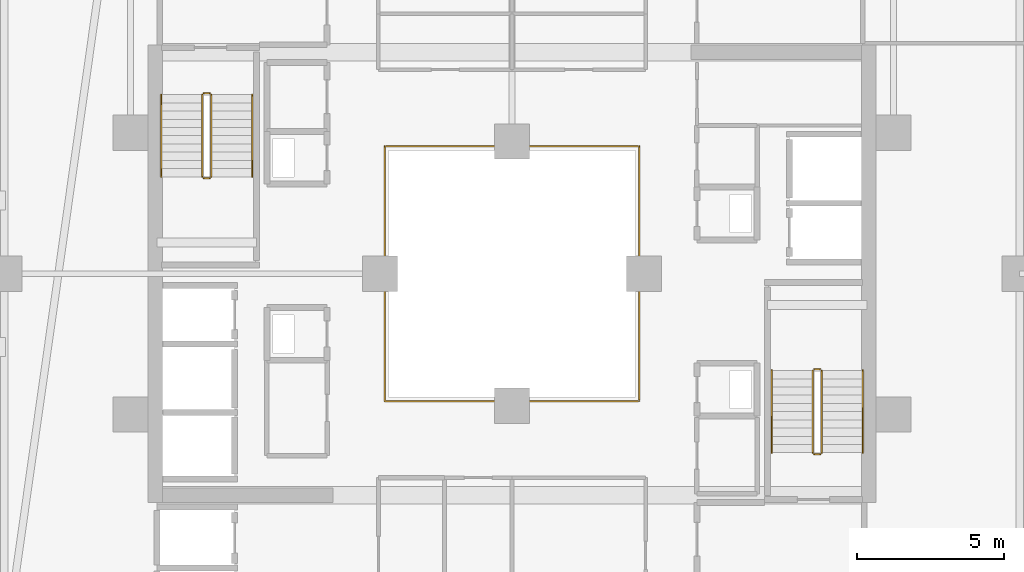
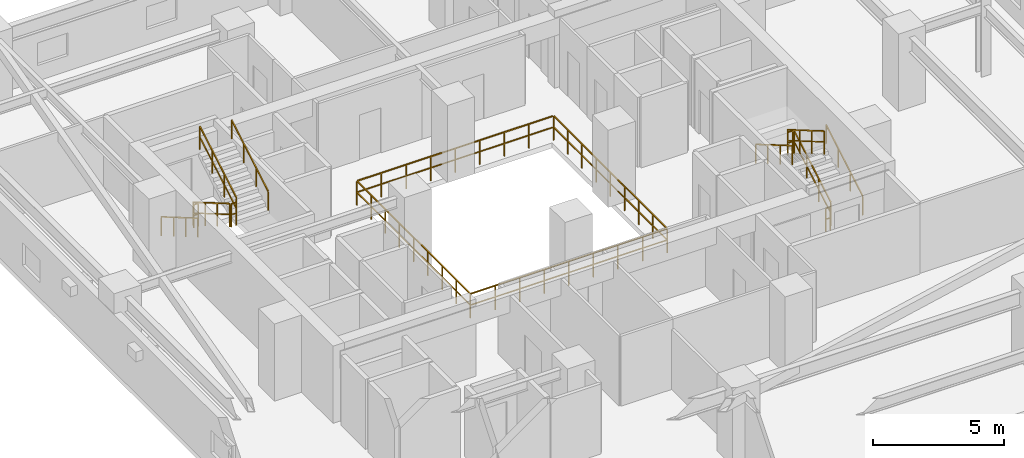
# One storey, part 33 of 34: 13 railings.
"""IFC4 building model written with IfcOpenShell, lengths in metres."""

from ifc_helpers import new_model, si_unit, direction, frame, origin, origin_2d, place, context, subcontext, project, spatial, rectangle, extrude, material, type_object, element, save


model = new_model("IFC4")

# Units and contexts
model_context = context("Model", 3, precision=1e-05, world=origin(), true_north=direction((0.0, 1.0)))
body_context = subcontext(model_context, "Body", "Model", "MODEL_VIEW")
ifc_project = project(units=[si_unit("LENGTHUNIT", "METRE"), si_unit("AREAUNIT", "SQUARE_METRE"), si_unit("VOLUMEUNIT", "CUBIC_METRE"), si_unit("PLANEANGLEUNIT", "RADIAN"), si_unit("MASSUNIT", "GRAM", prefix="KILO")], contexts=[model_context])

# Site, building, storey
site_placement = place(None, origin())
site = spatial("IfcSite", under=ifc_project, at=site_placement, CompositionType="ELEMENT")
building_placement = place(site_placement, origin())
building = spatial("IfcBuilding", under=site, at=building_placement, Name="Thornwick Lancets Civic Towers", CompositionType="ELEMENT")
storey_placement = place(building_placement, frame((0.0, 0.0, 137.699951171875)))
storey = spatial("IfcBuildingStorey", under=building, at=storey_placement, Name="L36", CompositionType="ELEMENT", Elevation=137.699951171875)

# Railings
ifc_material_1 = material(Name="Laminated glass and bronze steel S355", Category="steel")
railing_type_1 = type_object("IfcRailingType", Name="RAIL_ATRIUM_GUARD", PredefinedType="BALUSTRADE", material=ifc_material_1)
railing_1_placement = place(storey_placement, frame((84.159912109375, 22.659912109375, 0.0)))
element("IfcRailing", 1, at=railing_1_placement, inside=storey, type_object=railing_type_1, Name="L36 Tower B Central Atrium Guard Balustrade", PredefinedType="BALUSTRADE", context=body_context, shape_type="SweptSolid", body=[
    extrude(rectangle(XDim=0.048095703125, YDim=0.048095703125, at=origin_2d()), frame((0.0, 0.0, 1.1259765625), z_axis=(1.0, 0.0, 0.0), x_axis=(0.0, 1.0, 0.0)), (0.0, 0.0, 1.0), 8.64892578125),
    extrude(rectangle(XDim=0.0419921875, YDim=0.0419921875, at=origin_2d()), frame((0.03759765625, 0.0, 0.597900390625), z_axis=(1.0, 0.0, 0.0), x_axis=(0.0, 1.0, 0.0)), (0.0, 0.0, 1.0), 1.010009765625),
    extrude(rectangle(XDim=0.0419921875, YDim=0.0419921875, at=origin_2d()), frame((1.12255859375, 0.0, 0.597900390625), z_axis=(1.0, 0.0, 0.0), x_axis=(0.0, 1.0, 0.0)), (0.0, 0.0, 1.0), 1.010009765625),
    extrude(rectangle(XDim=0.0419921875, YDim=0.0419921875, at=origin_2d()), frame((2.20751953125, 0.0, 0.597900390625), z_axis=(1.0, 0.0, 0.0), x_axis=(0.0, 1.0, 0.0)), (0.0, 0.0, 1.0), 1.010009765625),
    extrude(rectangle(XDim=0.0419921875, YDim=0.0419921875, at=origin_2d()), frame((3.29248046875, 0.0, 0.597900390625), z_axis=(1.0, 0.0, 0.0), x_axis=(0.0, 1.0, 0.0)), (0.0, 0.0, 1.0), 1.010009765625),
    extrude(rectangle(XDim=0.0419921875, YDim=0.0419921875, at=origin_2d()), frame((4.377685546875, 0.0, 0.597900390625), z_axis=(1.0, 0.0, 0.0), x_axis=(0.0, 1.0, 0.0)), (0.0, 0.0, 1.0), 1.010009765625),
    extrude(rectangle(XDim=0.0419921875, YDim=0.0419921875, at=origin_2d()), frame((5.462646484375, 0.0, 0.597900390625), z_axis=(1.0, 0.0, 0.0), x_axis=(0.0, 1.0, 0.0)), (0.0, 0.0, 1.0), 1.010009765625),
    extrude(rectangle(XDim=0.0419921875, YDim=0.0419921875, at=origin_2d()), frame((6.547607421875, 0.0, 0.597900390625), z_axis=(1.0, 0.0, 0.0), x_axis=(0.0, 1.0, 0.0)), (0.0, 0.0, 1.0), 1.010009765625),
    extrude(rectangle(XDim=0.0419921875, YDim=0.0419921875, at=origin_2d()), frame((7.632568359375, 0.0, 0.597900390625), z_axis=(1.0, 0.0, 0.0), x_axis=(0.0, 1.0, 0.0)), (0.0, 0.0, 1.0), 1.010009765625),
    extrude(rectangle(XDim=0.048095703125, YDim=0.048095703125, at=origin_2d()), frame((8.68017578125, 0.03125, 1.1259765625), z_axis=(0.0, 1.0, 0.0), x_axis=(-1.0, 0.0, 0.0)), (0.0, 0.0, 1.0), 8.61767578125),
    extrude(rectangle(XDim=0.0419921875, YDim=0.0419921875, at=origin_2d()), frame((8.68017578125, 0.03759765625, 0.597900390625), z_axis=(0.0, 1.0, 0.0), x_axis=(-1.0, 0.0, 0.0)), (0.0, 0.0, 1.0), 1.010009765625),
    extrude(rectangle(XDim=0.0419921875, YDim=0.0419921875, at=origin_2d()), frame((8.68017578125, 1.12255859375, 0.597900390625), z_axis=(0.0, 1.0, 0.0), x_axis=(-1.0, 0.0, 0.0)), (0.0, 0.0, 1.0), 1.010009765625),
    extrude(rectangle(XDim=0.0419921875, YDim=0.0419921875, at=origin_2d()), frame((8.68017578125, 2.20751953125, 0.597900390625), z_axis=(0.0, 1.0, 0.0), x_axis=(-1.0, 0.0, 0.0)), (0.0, 0.0, 1.0), 1.010009765625),
    extrude(rectangle(XDim=0.0419921875, YDim=0.0419921875, at=origin_2d()), frame((8.68017578125, 3.29248046875, 0.597900390625), z_axis=(0.0, 1.0, 0.0), x_axis=(-1.0, 0.0, 0.0)), (0.0, 0.0, 1.0), 1.010009765625),
    extrude(rectangle(XDim=0.0419921875, YDim=0.0419921875, at=origin_2d()), frame((8.68017578125, 4.377685546875, 0.597900390625), z_axis=(0.0, 1.0, 0.0), x_axis=(-1.0, 0.0, 0.0)), (0.0, 0.0, 1.0), 1.010009765625),
    extrude(rectangle(XDim=0.0419921875, YDim=0.0419921875, at=origin_2d()), frame((8.68017578125, 5.462646484375, 0.597900390625), z_axis=(0.0, 1.0, 0.0), x_axis=(-1.0, 0.0, 0.0)), (0.0, 0.0, 1.0), 1.010009765625),
    extrude(rectangle(XDim=0.0419921875, YDim=0.0419921875, at=origin_2d()), frame((8.68017578125, 6.547607421875, 0.597900390625), z_axis=(0.0, 1.0, 0.0), x_axis=(-1.0, 0.0, 0.0)), (0.0, 0.0, 1.0), 1.010009765625),
    extrude(rectangle(XDim=0.0419921875, YDim=0.0419921875, at=origin_2d()), frame((8.68017578125, 7.632568359375, 0.597900390625), z_axis=(0.0, 1.0, 0.0), x_axis=(-1.0, 0.0, 0.0)), (0.0, 0.0, 1.0), 1.010009765625),
    extrude(rectangle(XDim=0.048095703125, YDim=0.048095703125, at=origin_2d()), frame((8.64892578125, 8.68017578125, 1.1259765625), z_axis=(-1.0, 0.0, 0.0), x_axis=(0.0, -1.0, 0.0)), (0.0, 0.0, 1.0), 8.61767578125),
    extrude(rectangle(XDim=0.0419921875, YDim=0.0419921875, at=origin_2d()), frame((8.642578125, 8.68017578125, 0.597900390625), z_axis=(-1.0, 0.0, 0.0), x_axis=(0.0, -1.0, 0.0)), (0.0, 0.0, 1.0), 1.010009765625),
    extrude(rectangle(XDim=0.0419921875, YDim=0.0419921875, at=origin_2d()), frame((7.5576171875, 8.68017578125, 0.597900390625), z_axis=(-1.0, 0.0, 0.0), x_axis=(0.0, -1.0, 0.0)), (0.0, 0.0, 1.0), 1.010009765625),
    extrude(rectangle(XDim=0.0419921875, YDim=0.0419921875, at=origin_2d()), frame((6.47265625, 8.68017578125, 0.597900390625), z_axis=(-1.0, 0.0, 0.0), x_axis=(0.0, -1.0, 0.0)), (0.0, 0.0, 1.0), 1.010009765625),
    extrude(rectangle(XDim=0.0419921875, YDim=0.0419921875, at=origin_2d()), frame((5.3876953125, 8.68017578125, 0.597900390625), z_axis=(-1.0, 0.0, 0.0), x_axis=(0.0, -1.0, 0.0)), (0.0, 0.0, 1.0), 1.010009765625),
    extrude(rectangle(XDim=0.0419921875, YDim=0.0419921875, at=origin_2d()), frame((4.302490234375, 8.68017578125, 0.597900390625), z_axis=(-1.0, 0.0, 0.0), x_axis=(0.0, -1.0, 0.0)), (0.0, 0.0, 1.0), 1.010009765625),
    extrude(rectangle(XDim=0.0419921875, YDim=0.0419921875, at=origin_2d()), frame((3.217529296875, 8.68017578125, 0.597900390625), z_axis=(-1.0, 0.0, 0.0), x_axis=(0.0, -1.0, 0.0)), (0.0, 0.0, 1.0), 1.010009765625),
    extrude(rectangle(XDim=0.0419921875, YDim=0.0419921875, at=origin_2d()), frame((2.132568359375, 8.68017578125, 0.597900390625), z_axis=(-1.0, 0.0, 0.0), x_axis=(0.0, -1.0, 0.0)), (0.0, 0.0, 1.0), 1.010009765625),
    extrude(rectangle(XDim=0.0419921875, YDim=0.0419921875, at=origin_2d()), frame((1.047607421875, 8.68017578125, 0.597900390625), z_axis=(-1.0, 0.0, 0.0), x_axis=(0.0, -1.0, 0.0)), (0.0, 0.0, 1.0), 1.010009765625),
    extrude(rectangle(XDim=0.048095703125, YDim=0.048095703125, at=origin_2d()), frame((0.0, 8.64892578125, 1.1259765625), z_axis=(0.0, -1.0, 0.0), x_axis=(1.0, 0.0, 0.0)), (0.0, 0.0, 1.0), 8.64892578125),
    extrude(rectangle(XDim=0.0419921875, YDim=0.0419921875, at=origin_2d()), frame((0.0, 8.642578125, 0.597900390625), z_axis=(0.0, -1.0, 0.0), x_axis=(1.0, 0.0, 0.0)), (0.0, 0.0, 1.0), 1.010009765625),
    extrude(rectangle(XDim=0.0419921875, YDim=0.0419921875, at=origin_2d()), frame((0.0, 7.5576171875, 0.597900390625), z_axis=(0.0, -1.0, 0.0), x_axis=(1.0, 0.0, 0.0)), (0.0, 0.0, 1.0), 1.010009765625),
    extrude(rectangle(XDim=0.0419921875, YDim=0.0419921875, at=origin_2d()), frame((0.0, 6.47265625, 0.597900390625), z_axis=(0.0, -1.0, 0.0), x_axis=(1.0, 0.0, 0.0)), (0.0, 0.0, 1.0), 1.010009765625),
    extrude(rectangle(XDim=0.0419921875, YDim=0.0419921875, at=origin_2d()), frame((0.0, 5.3876953125, 0.597900390625), z_axis=(0.0, -1.0, 0.0), x_axis=(1.0, 0.0, 0.0)), (0.0, 0.0, 1.0), 1.010009765625),
    extrude(rectangle(XDim=0.0419921875, YDim=0.0419921875, at=origin_2d()), frame((0.0, 4.302490234375, 0.597900390625), z_axis=(0.0, -1.0, 0.0), x_axis=(1.0, 0.0, 0.0)), (0.0, 0.0, 1.0), 1.010009765625),
    extrude(rectangle(XDim=0.0419921875, YDim=0.0419921875, at=origin_2d()), frame((0.0, 3.217529296875, 0.597900390625), z_axis=(0.0, -1.0, 0.0), x_axis=(1.0, 0.0, 0.0)), (0.0, 0.0, 1.0), 1.010009765625),
    extrude(rectangle(XDim=0.0419921875, YDim=0.0419921875, at=origin_2d()), frame((0.0, 2.132568359375, 0.597900390625), z_axis=(0.0, -1.0, 0.0), x_axis=(1.0, 0.0, 0.0)), (0.0, 0.0, 1.0), 1.010009765625),
    extrude(rectangle(XDim=0.0419921875, YDim=0.0419921875, at=origin_2d()), frame((0.0, 1.047607421875, 0.597900390625), z_axis=(0.0, -1.0, 0.0), x_axis=(1.0, 0.0, 0.0)), (0.0, 0.0, 1.0), 1.010009765625),
    extrude(rectangle(XDim=0.0419921875, YDim=0.0419921875, at=origin_2d()), origin(), (0.0, 0.0, 1.0), 1.095703125),
    extrude(rectangle(XDim=0.0419921875, YDim=0.0419921875, at=origin_2d()), frame((1.0849609375, 0.0, 0.0)), (0.0, 0.0, 1.0), 1.095703125),
    extrude(rectangle(XDim=0.0419921875, YDim=0.0419921875, at=origin_2d()), frame((2.169921875, 0.0, 0.0)), (0.0, 0.0, 1.0), 1.095703125),
    extrude(rectangle(XDim=0.0419921875, YDim=0.0419921875, at=origin_2d()), frame((3.255126953125, 0.0, 0.0)), (0.0, 0.0, 1.0), 1.095703125),
    extrude(rectangle(XDim=0.0419921875, YDim=0.0419921875, at=origin_2d()), frame((4.340087890625, 0.0, 0.0)), (0.0, 0.0, 1.0), 1.095703125),
    extrude(rectangle(XDim=0.0419921875, YDim=0.0419921875, at=origin_2d()), frame((5.425048828125, 0.0, 0.0)), (0.0, 0.0, 1.0), 1.095703125),
    extrude(rectangle(XDim=0.0419921875, YDim=0.0419921875, at=origin_2d()), frame((6.51025390625, 0.0, 0.0)), (0.0, 0.0, 1.0), 1.095703125),
    extrude(rectangle(XDim=0.0419921875, YDim=0.0419921875, at=origin_2d()), frame((7.59521484375, 0.0, 0.0)), (0.0, 0.0, 1.0), 1.095703125),
    extrude(rectangle(XDim=0.0419921875, YDim=0.0419921875, at=origin_2d()), frame((8.68017578125, 0.0, 0.0)), (0.0, 0.0, 1.0), 1.095703125),
    extrude(rectangle(XDim=0.0419921875, YDim=0.0419921875, at=origin_2d()), frame((8.68017578125, 1.0849609375, 0.0)), (0.0, 0.0, 1.0), 1.095703125),
    extrude(rectangle(XDim=0.0419921875, YDim=0.0419921875, at=origin_2d()), frame((8.68017578125, 2.169921875, 0.0)), (0.0, 0.0, 1.0), 1.095703125),
    extrude(rectangle(XDim=0.0419921875, YDim=0.0419921875, at=origin_2d()), frame((8.68017578125, 3.255126953125, 0.0)), (0.0, 0.0, 1.0), 1.095703125),
    extrude(rectangle(XDim=0.0419921875, YDim=0.0419921875, at=origin_2d()), frame((8.68017578125, 4.340087890625, 0.0)), (0.0, 0.0, 1.0), 1.095703125),
    extrude(rectangle(XDim=0.0419921875, YDim=0.0419921875, at=origin_2d()), frame((8.68017578125, 5.425048828125, 0.0)), (0.0, 0.0, 1.0), 1.095703125),
    extrude(rectangle(XDim=0.0419921875, YDim=0.0419921875, at=origin_2d()), frame((8.68017578125, 6.51025390625, 0.0)), (0.0, 0.0, 1.0), 1.095703125),
    extrude(rectangle(XDim=0.0419921875, YDim=0.0419921875, at=origin_2d()), frame((8.68017578125, 7.59521484375, 0.0)), (0.0, 0.0, 1.0), 1.095703125),
    extrude(rectangle(XDim=0.0419921875, YDim=0.0419921875, at=origin_2d()), frame((8.68017578125, 8.68017578125, 0.0)), (0.0, 0.0, 1.0), 1.095703125),
    extrude(rectangle(XDim=0.0419921875, YDim=0.0419921875, at=origin_2d()), frame((7.59521484375, 8.68017578125, 0.0)), (0.0, 0.0, 1.0), 1.095703125),
    extrude(rectangle(XDim=0.0419921875, YDim=0.0419921875, at=origin_2d()), frame((6.51025390625, 8.68017578125, 0.0)), (0.0, 0.0, 1.0), 1.095703125),
    extrude(rectangle(XDim=0.0419921875, YDim=0.0419921875, at=origin_2d()), frame((5.425048828125, 8.68017578125, 0.0)), (0.0, 0.0, 1.0), 1.095703125),
    extrude(rectangle(XDim=0.0419921875, YDim=0.0419921875, at=origin_2d()), frame((4.340087890625, 8.68017578125, 0.0)), (0.0, 0.0, 1.0), 1.095703125),
    extrude(rectangle(XDim=0.0419921875, YDim=0.0419921875, at=origin_2d()), frame((3.255126953125, 8.68017578125, 0.0)), (0.0, 0.0, 1.0), 1.095703125),
    extrude(rectangle(XDim=0.0419921875, YDim=0.0419921875, at=origin_2d()), frame((2.169921875, 8.68017578125, 0.0)), (0.0, 0.0, 1.0), 1.095703125),
    extrude(rectangle(XDim=0.0419921875, YDim=0.0419921875, at=origin_2d()), frame((1.0849609375, 8.68017578125, 0.0)), (0.0, 0.0, 1.0), 1.095703125),
    extrude(rectangle(XDim=0.0419921875, YDim=0.0419921875, at=origin_2d()), frame((0.0, 8.68017578125, 0.0)), (0.0, 0.0, 1.0), 1.095703125),
    extrude(rectangle(XDim=0.0419921875, YDim=0.0419921875, at=origin_2d()), frame((0.0, 7.59521484375, 0.0)), (0.0, 0.0, 1.0), 1.095703125),
    extrude(rectangle(XDim=0.0419921875, YDim=0.0419921875, at=origin_2d()), frame((0.0, 6.51025390625, 0.0)), (0.0, 0.0, 1.0), 1.095703125),
    extrude(rectangle(XDim=0.0419921875, YDim=0.0419921875, at=origin_2d()), frame((0.0, 5.425048828125, 0.0)), (0.0, 0.0, 1.0), 1.095703125),
    extrude(rectangle(XDim=0.0419921875, YDim=0.0419921875, at=origin_2d()), frame((0.0, 4.340087890625, 0.0)), (0.0, 0.0, 1.0), 1.095703125),
    extrude(rectangle(XDim=0.0419921875, YDim=0.0419921875, at=origin_2d()), frame((0.0, 3.255126953125, 0.0)), (0.0, 0.0, 1.0), 1.095703125),
    extrude(rectangle(XDim=0.0419921875, YDim=0.0419921875, at=origin_2d()), frame((0.0, 2.169921875, 0.0)), (0.0, 0.0, 1.0), 1.095703125),
    extrude(rectangle(XDim=0.0419921875, YDim=0.0419921875, at=origin_2d()), frame((0.0, 1.0849609375, 0.0)), (0.0, 0.0, 1.0), 1.095703125),
])
ifc_material_2 = material(Name="Brushed stainless steel S355", Category="steel")
railing_type_2 = type_object("IfcRailingType", Name="RAIL_HANDRAIL", PredefinedType="HANDRAIL", material=ifc_material_2)
railing_2_placement = place(storey_placement, frame((100.449951171875, 20.89990234375, 0.16357421875)))
element("IfcRailing", 2, at=railing_2_placement, inside=storey, type_object=railing_type_2, Name="L36 ST-B1 stair handrail 1", PredefinedType="HANDRAIL", context=body_context, shape_type="SweptSolid", body=[
    extrude(rectangle(XDim=0.048095703125, YDim=0.048095703125, at=origin_2d()), frame((0.0, 0.0, 0.8857421875), z_axis=(0.0, 0.863360870873, 0.504586966384), x_axis=(-1.0, 0.0, 0.0)), (0.0, 0.0, 1.0), 3.2431640625),
    extrude(rectangle(XDim=0.0419921875, YDim=0.0419921875, at=origin_2d()), origin(), (0.0, 0.0, 1.0), 0.855712890625),
    extrude(rectangle(XDim=0.0419921875, YDim=0.0419921875, at=origin_2d()), frame((0.0, 0.933349609375, 0.54541015625)), (0.0, 0.0, 1.0), 0.855712890625),
    extrude(rectangle(XDim=0.0419921875, YDim=0.0419921875, at=origin_2d()), frame((0.0, 1.86669921875, 1.091064453125)), (0.0, 0.0, 1.0), 0.855712890625),
    extrude(rectangle(XDim=0.0419921875, YDim=0.0419921875, at=origin_2d()), frame((0.0, 2.800048828125, 1.636474609375)), (0.0, 0.0, 1.0), 0.855712890625),
])
for number, where, name in (
    (3, (97.35009765625, 23.699951171875, 1.963623046875), "L36 ST-B1 stair handrail 2"),
    (4, (76.550048828125, 33.10009765625, 0.16357421875), "L36 ST-B2 stair handrail 1"),
):
    element("IfcRailing", number, at=place(storey_placement, frame(where)), inside=storey, type_object=railing_type_2, Name=name, PredefinedType="HANDRAIL", context=body_context, shape_type="SweptSolid", body=[
        extrude(rectangle(XDim=0.048095703125, YDim=0.048095703125, at=origin_2d()), frame((0.0, 0.0, 0.8857421875), z_axis=(0.0, -0.863360870873, 0.504586966384), x_axis=(1.0, 0.0, 0.0)), (0.0, 0.0, 1.0), 3.2431640625),
        extrude(rectangle(XDim=0.0419921875, YDim=0.0419921875, at=origin_2d()), origin(), (0.0, 0.0, 1.0), 0.855712890625),
        extrude(rectangle(XDim=0.0419921875, YDim=0.0419921875, at=origin_2d()), frame((0.0, -0.933349609375, 0.54541015625)), (0.0, 0.0, 1.0), 0.855712890625),
        extrude(rectangle(XDim=0.0419921875, YDim=0.0419921875, at=origin_2d()), frame((0.0, -1.86669921875, 1.091064453125)), (0.0, 0.0, 1.0), 0.855712890625),
        extrude(rectangle(XDim=0.0419921875, YDim=0.0419921875, at=origin_2d()), frame((0.0, -2.800048828125, 1.636474609375)), (0.0, 0.0, 1.0), 0.855712890625),
    ])
railing_3_placement = place(storey_placement, frame((79.64990234375, 30.300048828125, 1.963623046875)))
element("IfcRailing", 5, at=railing_3_placement, inside=storey, type_object=railing_type_2, Name="L36 ST-B2 stair handrail 2", PredefinedType="HANDRAIL", context=body_context, shape_type="SweptSolid", body=[
    extrude(rectangle(XDim=0.048095703125, YDim=0.048095703125, at=origin_2d()), frame((0.0, 0.0, 0.8857421875), z_axis=(0.0, 0.863360870873, 0.504586966384), x_axis=(-1.0, 0.0, 0.0)), (0.0, 0.0, 1.0), 3.2431640625),
    extrude(rectangle(XDim=0.0419921875, YDim=0.0419921875, at=origin_2d()), origin(), (0.0, 0.0, 1.0), 0.855712890625),
    extrude(rectangle(XDim=0.0419921875, YDim=0.0419921875, at=origin_2d()), frame((0.0, 0.933349609375, 0.54541015625)), (0.0, 0.0, 1.0), 0.855712890625),
    extrude(rectangle(XDim=0.0419921875, YDim=0.0419921875, at=origin_2d()), frame((0.0, 1.86669921875, 1.091064453125)), (0.0, 0.0, 1.0), 0.855712890625),
    extrude(rectangle(XDim=0.0419921875, YDim=0.0419921875, at=origin_2d()), frame((0.0, 2.800048828125, 1.636474609375)), (0.0, 0.0, 1.0), 0.855712890625),
])
ifc_material_3 = material(Name="Steel S355JR", Category="steel")
railing_type_3 = type_object("IfcRailingType", Name="RAIL_STAIR_GUARD", PredefinedType="GUARDRAIL", material=ifc_material_3)
railing_4_placement = place(storey_placement, frame((99.050048828125, 20.89990234375, 0.16357421875)))
element("IfcRailing", 6, at=railing_4_placement, inside=storey, type_object=railing_type_3, Name="L36 ST-B1 stair guard 1", PredefinedType="GUARDRAIL", context=body_context, shape_type="SweptSolid", body=[
    extrude(rectangle(XDim=0.048095703125, YDim=0.048095703125, at=origin_2d()), frame((0.0, 0.0, 1.076171875), z_axis=(0.0, 0.863360870873, 0.504586966384), x_axis=(-1.0, 0.0, 0.0)), (0.0, 0.0, 1.0), 3.2431640625),
    extrude(rectangle(XDim=0.0419921875, YDim=0.0419921875, at=origin_2d()), frame((0.0, 0.032470703125, 0.591064453125), z_axis=(0.0, 0.863360870873, 0.504586966384), x_axis=(-1.0, 0.0, 0.0)), (0.0, 0.0, 1.0), 1.006103515625),
    extrude(rectangle(XDim=0.0419921875, YDim=0.0419921875, at=origin_2d()), frame((0.0, 0.9658203125, 1.136474609375), z_axis=(0.0, 0.863360870873, 0.504586966384), x_axis=(-1.0, 0.0, 0.0)), (0.0, 0.0, 1.0), 1.006103515625),
    extrude(rectangle(XDim=0.0419921875, YDim=0.0419921875, at=origin_2d()), frame((0.0, 1.899169921875, 1.681884765625), z_axis=(0.0, 0.863360870873, 0.504586966384), x_axis=(-1.0, 0.0, 0.0)), (0.0, 0.0, 1.0), 1.006103515625),
    extrude(rectangle(XDim=0.0419921875, YDim=0.0419921875, at=origin_2d()), origin(), (0.0, 0.0, 1.0), 1.0458984375),
    extrude(rectangle(XDim=0.0419921875, YDim=0.0419921875, at=origin_2d()), frame((0.0, 0.933349609375, 0.54541015625)), (0.0, 0.0, 1.0), 1.0458984375),
    extrude(rectangle(XDim=0.0419921875, YDim=0.0419921875, at=origin_2d()), frame((0.0, 1.86669921875, 1.091064453125)), (0.0, 0.0, 1.0), 1.0458984375),
    extrude(rectangle(XDim=0.0419921875, YDim=0.0419921875, at=origin_2d()), frame((0.0, 2.800048828125, 1.636474609375)), (0.0, 0.0, 1.0), 1.0458984375),
])
railing_5_placement = place(storey_placement, frame((99.0, 23.75, 1.800048828125)))
element("IfcRailing", 7, at=railing_5_placement, inside=storey, type_object=railing_type_3, Name="L36 ST-B1 stair guard 2", PredefinedType="GUARDRAIL", context=body_context, shape_type="SweptSolid", body=[
    extrude(rectangle(XDim=0.048095703125, YDim=0.048095703125, at=origin_2d()), frame((0.0, 0.0, 1.076171875), z_axis=(-1.0, 0.0, 0.0), x_axis=(0.0, -1.0, 0.0)), (0.0, 0.0, 1.0), 0.199951171875),
    extrude(rectangle(XDim=0.0419921875, YDim=0.0419921875, at=origin_2d()), frame((-0.03759765625, 0.0, 0.572021484375), z_axis=(-1.0, 0.0, 0.0), x_axis=(0.0, -1.0, 0.0)), (0.0, 0.0, 1.0), 0.125),
    extrude(rectangle(XDim=0.0419921875, YDim=0.0419921875, at=origin_2d()), origin(), (0.0, 0.0, 1.0), 1.0458984375),
    extrude(rectangle(XDim=0.0419921875, YDim=0.0419921875, at=origin_2d()), frame((-0.199951171875, 0.0, 0.0)), (0.0, 0.0, 1.0), 1.0458984375),
])
railing_6_placement = place(storey_placement, frame((98.75, 23.699951171875, 1.963623046875)))
element("IfcRailing", 8, at=railing_6_placement, inside=storey, type_object=railing_type_3, Name="L36 ST-B1 stair guard 3", PredefinedType="GUARDRAIL", context=body_context, shape_type="SweptSolid", body=[
    extrude(rectangle(XDim=0.048095703125, YDim=0.048095703125, at=origin_2d()), frame((0.0, 0.0, 1.076171875), z_axis=(0.0, -0.863360870873, 0.504586966384), x_axis=(1.0, 0.0, 0.0)), (0.0, 0.0, 1.0), 3.2431640625),
    extrude(rectangle(XDim=0.0419921875, YDim=0.0419921875, at=origin_2d()), frame((0.0, -0.032470703125, 0.591064453125), z_axis=(0.0, -0.863360870873, 0.504586966384), x_axis=(1.0, 0.0, 0.0)), (0.0, 0.0, 1.0), 1.006103515625),
    extrude(rectangle(XDim=0.0419921875, YDim=0.0419921875, at=origin_2d()), frame((0.0, -0.9658203125, 1.136474609375), z_axis=(0.0, -0.863360870873, 0.504586966384), x_axis=(1.0, 0.0, 0.0)), (0.0, 0.0, 1.0), 1.006103515625),
    extrude(rectangle(XDim=0.0419921875, YDim=0.0419921875, at=origin_2d()), frame((0.0, -1.899169921875, 1.681884765625), z_axis=(0.0, -0.863360870873, 0.504586966384), x_axis=(1.0, 0.0, 0.0)), (0.0, 0.0, 1.0), 1.006103515625),
    extrude(rectangle(XDim=0.0419921875, YDim=0.0419921875, at=origin_2d()), origin(), (0.0, 0.0, 1.0), 1.0458984375),
    extrude(rectangle(XDim=0.0419921875, YDim=0.0419921875, at=origin_2d()), frame((0.0, -0.933349609375, 0.54541015625)), (0.0, 0.0, 1.0), 1.0458984375),
    extrude(rectangle(XDim=0.0419921875, YDim=0.0419921875, at=origin_2d()), frame((0.0, -1.86669921875, 1.091064453125)), (0.0, 0.0, 1.0), 1.0458984375),
    extrude(rectangle(XDim=0.0419921875, YDim=0.0419921875, at=origin_2d()), frame((0.0, -2.800048828125, 1.636474609375)), (0.0, 0.0, 1.0), 1.0458984375),
])
railing_7_placement = place(storey_placement, frame((99.0, 20.85009765625, 0.0)))
element("IfcRailing", 9, at=railing_7_placement, inside=storey, type_object=railing_type_3, Name="L36 ST-B1 stair guard 4", PredefinedType="GUARDRAIL", context=body_context, shape_type="SweptSolid", body=[
    extrude(rectangle(XDim=0.048095703125, YDim=0.048095703125, at=origin_2d()), frame((0.0, 0.0, 1.076171875), z_axis=(-1.0, 0.0, 0.0), x_axis=(0.0, -1.0, 0.0)), (0.0, 0.0, 1.0), 0.199951171875),
    extrude(rectangle(XDim=0.0419921875, YDim=0.0419921875, at=origin_2d()), frame((-0.03759765625, 0.0, 0.572021484375), z_axis=(-1.0, 0.0, 0.0), x_axis=(0.0, -1.0, 0.0)), (0.0, 0.0, 1.0), 0.125),
    extrude(rectangle(XDim=0.0419921875, YDim=0.0419921875, at=origin_2d()), origin(), (0.0, 0.0, 1.0), 1.0458984375),
    extrude(rectangle(XDim=0.0419921875, YDim=0.0419921875, at=origin_2d()), frame((-0.199951171875, 0.0, 0.0)), (0.0, 0.0, 1.0), 1.0458984375),
])
railing_8_placement = place(storey_placement, frame((77.949951171875, 33.10009765625, 0.16357421875)))
element("IfcRailing", 10, at=railing_8_placement, inside=storey, type_object=railing_type_3, Name="L36 ST-B2 stair guard 1", PredefinedType="GUARDRAIL", context=body_context, shape_type="SweptSolid", body=[
    extrude(rectangle(XDim=0.048095703125, YDim=0.048095703125, at=origin_2d()), frame((0.0, 0.0, 1.076171875), z_axis=(0.0, -0.863360870873, 0.504586966384), x_axis=(1.0, 0.0, 0.0)), (0.0, 0.0, 1.0), 3.2431640625),
    extrude(rectangle(XDim=0.0419921875, YDim=0.0419921875, at=origin_2d()), frame((0.0, -0.032470703125, 0.591064453125), z_axis=(0.0, -0.863360870873, 0.504586966384), x_axis=(1.0, 0.0, 0.0)), (0.0, 0.0, 1.0), 1.006103515625),
    extrude(rectangle(XDim=0.0419921875, YDim=0.0419921875, at=origin_2d()), frame((0.0, -0.9658203125, 1.136474609375), z_axis=(0.0, -0.863360870873, 0.504586966384), x_axis=(1.0, 0.0, 0.0)), (0.0, 0.0, 1.0), 1.006103515625),
    extrude(rectangle(XDim=0.0419921875, YDim=0.0419921875, at=origin_2d()), frame((0.0, -1.899169921875, 1.681884765625), z_axis=(0.0, -0.863360870873, 0.504586966384), x_axis=(1.0, 0.0, 0.0)), (0.0, 0.0, 1.0), 1.006103515625),
    extrude(rectangle(XDim=0.0419921875, YDim=0.0419921875, at=origin_2d()), origin(), (0.0, 0.0, 1.0), 1.0458984375),
    extrude(rectangle(XDim=0.0419921875, YDim=0.0419921875, at=origin_2d()), frame((0.0, -0.933349609375, 0.54541015625)), (0.0, 0.0, 1.0), 1.0458984375),
    extrude(rectangle(XDim=0.0419921875, YDim=0.0419921875, at=origin_2d()), frame((0.0, -1.86669921875, 1.091064453125)), (0.0, 0.0, 1.0), 1.0458984375),
    extrude(rectangle(XDim=0.0419921875, YDim=0.0419921875, at=origin_2d()), frame((0.0, -2.800048828125, 1.636474609375)), (0.0, 0.0, 1.0), 1.0458984375),
])
railing_9_placement = place(storey_placement, frame((78.0, 30.25, 1.800048828125)))
element("IfcRailing", 11, at=railing_9_placement, inside=storey, type_object=railing_type_3, Name="L36 ST-B2 stair guard 2", PredefinedType="GUARDRAIL", context=body_context, shape_type="SweptSolid", body=[
    extrude(rectangle(XDim=0.048095703125, YDim=0.048095703125, at=origin_2d()), frame((0.0, 0.0, 1.076171875), z_axis=(1.0, 0.0, 0.0), x_axis=(0.0, 1.0, 0.0)), (0.0, 0.0, 1.0), 0.199951171875),
    extrude(rectangle(XDim=0.0419921875, YDim=0.0419921875, at=origin_2d()), frame((0.03759765625, 0.0, 0.572021484375), z_axis=(1.0, 0.0, 0.0), x_axis=(0.0, 1.0, 0.0)), (0.0, 0.0, 1.0), 0.125),
    extrude(rectangle(XDim=0.0419921875, YDim=0.0419921875, at=origin_2d()), origin(), (0.0, 0.0, 1.0), 1.0458984375),
    extrude(rectangle(XDim=0.0419921875, YDim=0.0419921875, at=origin_2d()), frame((0.199951171875, 0.0, 0.0)), (0.0, 0.0, 1.0), 1.0458984375),
])
railing_10_placement = place(storey_placement, frame((78.25, 30.300048828125, 1.963623046875)))
element("IfcRailing", 12, at=railing_10_placement, inside=storey, type_object=railing_type_3, Name="L36 ST-B2 stair guard 3", PredefinedType="GUARDRAIL", context=body_context, shape_type="SweptSolid", body=[
    extrude(rectangle(XDim=0.048095703125, YDim=0.048095703125, at=origin_2d()), frame((0.0, 0.0, 1.076171875), z_axis=(0.0, 0.863360870873, 0.504586966384), x_axis=(-1.0, 0.0, 0.0)), (0.0, 0.0, 1.0), 3.2431640625),
    extrude(rectangle(XDim=0.0419921875, YDim=0.0419921875, at=origin_2d()), frame((0.0, 0.032470703125, 0.591064453125), z_axis=(0.0, 0.863360870873, 0.504586966384), x_axis=(-1.0, 0.0, 0.0)), (0.0, 0.0, 1.0), 1.006103515625),
    extrude(rectangle(XDim=0.0419921875, YDim=0.0419921875, at=origin_2d()), frame((0.0, 0.9658203125, 1.136474609375), z_axis=(0.0, 0.863360870873, 0.504586966384), x_axis=(-1.0, 0.0, 0.0)), (0.0, 0.0, 1.0), 1.006103515625),
    extrude(rectangle(XDim=0.0419921875, YDim=0.0419921875, at=origin_2d()), frame((0.0, 1.899169921875, 1.681884765625), z_axis=(0.0, 0.863360870873, 0.504586966384), x_axis=(-1.0, 0.0, 0.0)), (0.0, 0.0, 1.0), 1.006103515625),
    extrude(rectangle(XDim=0.0419921875, YDim=0.0419921875, at=origin_2d()), origin(), (0.0, 0.0, 1.0), 1.0458984375),
    extrude(rectangle(XDim=0.0419921875, YDim=0.0419921875, at=origin_2d()), frame((0.0, 0.933349609375, 0.54541015625)), (0.0, 0.0, 1.0), 1.0458984375),
    extrude(rectangle(XDim=0.0419921875, YDim=0.0419921875, at=origin_2d()), frame((0.0, 1.86669921875, 1.091064453125)), (0.0, 0.0, 1.0), 1.0458984375),
    extrude(rectangle(XDim=0.0419921875, YDim=0.0419921875, at=origin_2d()), frame((0.0, 2.800048828125, 1.636474609375)), (0.0, 0.0, 1.0), 1.0458984375),
])
railing_11_placement = place(storey_placement, frame((78.0, 33.14990234375, 0.0)))
element("IfcRailing", 13, at=railing_11_placement, inside=storey, type_object=railing_type_3, Name="L36 ST-B2 stair guard 4", PredefinedType="GUARDRAIL", context=body_context, shape_type="SweptSolid", body=[
    extrude(rectangle(XDim=0.048095703125, YDim=0.048095703125, at=origin_2d()), frame((0.0, 0.0, 1.076171875), z_axis=(1.0, 0.0, 0.0), x_axis=(0.0, 1.0, 0.0)), (0.0, 0.0, 1.0), 0.199951171875),
    extrude(rectangle(XDim=0.0419921875, YDim=0.0419921875, at=origin_2d()), frame((0.03759765625, 0.0, 0.572021484375), z_axis=(1.0, 0.0, 0.0), x_axis=(0.0, 1.0, 0.0)), (0.0, 0.0, 1.0), 0.125),
    extrude(rectangle(XDim=0.0419921875, YDim=0.0419921875, at=origin_2d()), origin(), (0.0, 0.0, 1.0), 1.0458984375),
    extrude(rectangle(XDim=0.0419921875, YDim=0.0419921875, at=origin_2d()), frame((0.199951171875, 0.0, 0.0)), (0.0, 0.0, 1.0), 1.0458984375),
])

save(model, "model.ifc")
